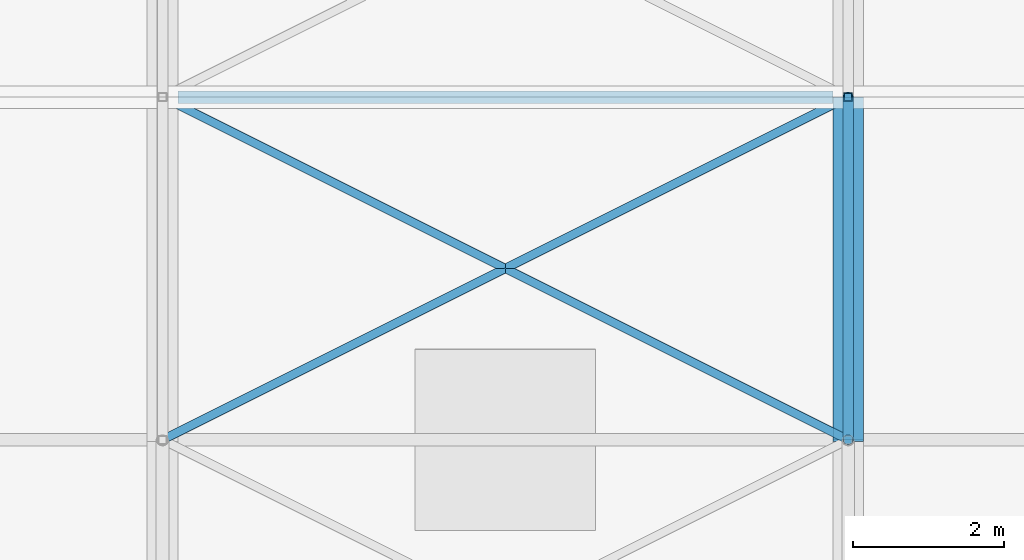
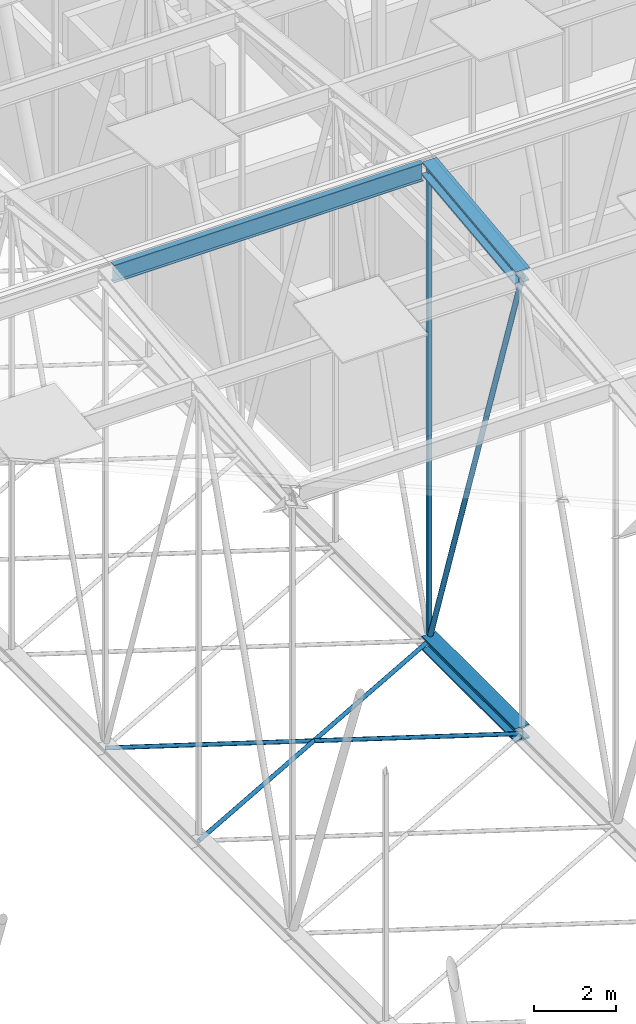
# One storey, part 160 of 500: 7 members.
"""IFC4 building model written with IfcOpenShell, lengths in metres."""

import ifcopenshell
import ifcopenshell.guid

model = None  # the IFC model being written
_history = None  # IfcOwnerHistory: only IFC2X3 demands one
_inside = {}  # id of a spatial element -> (the spatial element, [elements in it])
_under = {}  # id of a project, library or spatial element -> (it, [spatial elements below it])
_declared = {}  # id of a project -> (the project, [libraries it declares])
_typed = {}  # id of a type object -> (the type object, [elements of that type])
_made_of = {}  # id of a material, layer set ... -> (it, [elements and type objects made of it])


def new_model(schema):
    """Start an empty IFC model of exactly this schema.

    Asked for "IFC4X3", IfcOpenShell would pick the latest addendum, in which some entities
    have other attributes; the version numbers below select the first issue.
    IFC2X3 requires an IfcOwnerHistory on every rooted entity: one is made here for all.
    """
    global model, _history
    if schema == "IFC4X3":
        model = ifcopenshell.file(schema_version=(4, 3, 0, 0))
    else:
        model = ifcopenshell.file(schema=schema)
    _inside.clear()
    _under.clear()
    _declared.clear()
    _typed.clear()
    _made_of.clear()
    _history = None
    if model.schema == "IFC2X3":
        org = make("IfcOrganization", Name="unknown")
        user = make(
            "IfcPersonAndOrganization",
            ThePerson=make("IfcPerson", FamilyName="unknown"),
            TheOrganization=org,
        )
        app = make(
            "IfcApplication",
            ApplicationDeveloper=org,
            Version="unknown",
            ApplicationFullName="unknown",
            ApplicationIdentifier="unknown",
        )
        _history = make(
            "IfcOwnerHistory",
            OwningUser=user,
            OwningApplication=app,
            ChangeAction="ADDED",
            CreationDate=0,
        )
    return model


def make(cls, **values):
    """One entity of the class cls with the attributes given. An attribute that is None is left unset."""
    return model.create_entity(
        cls, **{name: value for name, value in values.items() if value is not None}
    )


def rooted(cls, **values):
    """An entity with a GlobalId (a new one), such as an element, a storey or a relation."""
    return make(cls, GlobalId=ifcopenshell.guid.new(), OwnerHistory=_history, **values)


def si_unit(unit_type, name, prefix=None):
    """IfcSIUnit, for example si_unit("LENGTHUNIT", "METRE", prefix="MILLI")."""
    return make("IfcSIUnit", UnitType=unit_type, Prefix=prefix, Name=name)


def assignment(units):
    """IfcUnitAssignment: the units of a project."""
    return None if units is None else make("IfcUnitAssignment", Units=units)


def point(xyz):
    """IfcCartesianPoint."""
    return None if xyz is None else make("IfcCartesianPoint", Coordinates=xyz)


def direction(xyz):
    """IfcDirection."""
    return None if xyz is None else make("IfcDirection", DirectionRatios=xyz)


def frame(location, z_axis=None, x_axis=None):
    """IfcAxis2Placement3D, a coordinate frame: its origin and axes. An axis left out is left unset."""
    return make(
        "IfcAxis2Placement3D",
        Location=point(location),
        Axis=direction(z_axis),
        RefDirection=direction(x_axis),
    )


def frame_2d(location, x_axis=None):
    """IfcAxis2Placement2D, a coordinate frame in the plane: its origin and x axis."""
    return make(
        "IfcAxis2Placement2D", Location=point(location), RefDirection=direction(x_axis)
    )


def origin():
    """The frame at (0, 0, 0) with its axes left unset."""
    return frame((0.0, 0.0, 0.0))


def origin_2d():
    """The frame at (0, 0) in the plane with its x axis left unset."""
    return frame_2d((0.0, 0.0))


def place(relative_to, where):
    """IfcLocalPlacement: puts the frame where relative to a parent placement (None: the world)."""
    return make(
        "IfcLocalPlacement", PlacementRelTo=relative_to, RelativePlacement=where
    )


def context(
    kind, dimensions, precision=None, world=None, true_north=None, identifier=None
):
    """IfcGeometricRepresentationContext, for example the 3D "Model" context."""
    return make(
        "IfcGeometricRepresentationContext",
        ContextIdentifier=identifier,
        ContextType=kind,
        CoordinateSpaceDimension=dimensions,
        Precision=precision,
        WorldCoordinateSystem=world,
        TrueNorth=true_north,
    )


def subcontext(parent, identifier, kind, view, scale=None):
    """IfcGeometricRepresentationSubContext, for example "Body" below "Model"."""
    return make(
        "IfcGeometricRepresentationSubContext",
        ContextIdentifier=identifier,
        ContextType=kind,
        ParentContext=parent,
        TargetScale=scale,
        TargetView=view,
    )


def project(units=None, contexts=None):
    """IfcProject with its units and contexts."""
    return rooted(
        "IfcProject",
        Name="project",
        RepresentationContexts=contexts,
        UnitsInContext=assignment(units),
    )


def spatial(cls, under=None, at=None, **own):
    """A site, building, storey or space (cls), placed at a placement, below another one or the project."""
    s = rooted(cls, ObjectPlacement=at, **own)
    if under is not None:
        _under.setdefault(under.id(), (under, []))[1].append(s)
    return s


def profile(cls, at=None, kind="AREA", **sizes):
    """A parametric profile (cls). Its sizes go by their IFC names, for example OverallWidth=200.0."""
    return make(cls, ProfileType=kind, Position=at, **sizes)


def hollow_rectangle(**sizes):
    """IfcRectangleHollowProfileDef."""
    return profile("IfcRectangleHollowProfileDef", **sizes)


def hollow_circle(**sizes):
    """IfcCircleHollowProfileDef."""
    return profile("IfcCircleHollowProfileDef", **sizes)


def i_section(**sizes):
    """IfcIShapeProfileDef."""
    return profile("IfcIShapeProfileDef", **sizes)


def extrude(swept, where, along, depth):
    """IfcExtrudedAreaSolid: the profile swept, set in the frame where, extruded along a direction by depth."""
    return make(
        "IfcExtrudedAreaSolid",
        SweptArea=swept,
        Position=where,
        ExtrudedDirection=direction(along),
        Depth=depth,
    )


def shape(context_of_items, identifier, shape_type, items):
    """IfcShapeRepresentation: the items that make up one representation, for example the "Body"."""
    return make(
        "IfcShapeRepresentation",
        ContextOfItems=context_of_items,
        RepresentationIdentifier=identifier,
        RepresentationType=shape_type,
        Items=items,
    )


def material(Name=None, Category=None):
    """IfcMaterial."""
    return make("IfcMaterial", Name=Name, Category=Category)


def material_profile(
    of_material, cross_section, Name=None, Category=None, Priority=None
):
    """IfcMaterialProfile: a cross section and its material."""
    return make(
        "IfcMaterialProfile",
        Name=Name,
        Material=of_material,
        Profile=cross_section,
        Priority=Priority,
        Category=Category,
    )


def profile_set(profiles, Name=None, composite=None):
    """IfcMaterialProfileSet."""
    return make(
        "IfcMaterialProfileSet",
        Name=Name,
        MaterialProfiles=profiles,
        CompositeProfile=composite,
    )


def made_of(thing, what):
    """Note that an element or type object is made of a material, layer set ...; save() writes the relation."""
    if what is not None:
        _made_of.setdefault(what.id(), (what, []))[1].append(thing)
    return thing


def type_object(cls, material=None, **own):
    """A type object (cls), such as IfcWallType, which elements share."""
    return made_of(rooted(cls, **own), material)


def element(
    cls,
    number,
    at=None,
    inside=None,
    cuts=None,
    type_object=None,
    material=None,
    context=None,
    identifier="Body",
    shape_type=None,
    held_by="IfcProductDefinitionShape",
    body=None,
    shapes=None,
    **own,
):
    """One element of the class cls, such as IfcWall. Its Tag is "e" and its number.

    at: its placement. inside: the storey or other place that contains it. cuts: it is an
    opening in that element (IfcRelVoidsElement). A single representation is given by context,
    identifier, shape_type and body (its items); several are given by shapes. held_by: the class
    of the entity that holds the representations. save() writes the other relations.
    """
    e = rooted(cls, Tag="e%d" % number, ObjectPlacement=at, **own)
    if body is not None:
        shapes = [shape(context, identifier, shape_type, body)]
    if shapes is not None:
        e.Representation = make(held_by, Representations=shapes)
    if inside is not None:
        _inside.setdefault(inside.id(), (inside, []))[1].append(e)
    if cuts is not None:
        rooted(
            "IfcRelVoidsElement", RelatingBuildingElement=cuts, RelatedOpeningElement=e
        )
    if type_object is not None:
        _typed.setdefault(type_object.id(), (type_object, []))[1].append(e)
    return made_of(e, material)


def aggregate(whole, parts):
    """IfcRelAggregates: a whole, such as a stair, and the parts it consists of."""
    return rooted("IfcRelAggregates", RelatingObject=whole, RelatedObjects=parts)


def save(model, path):
    """Write the relations noted so far, then the file.

    IfcRelAggregates (storeys below a building ...), IfcRelContainedInSpatialStructure (elements
    in a storey), IfcRelDefinesByType, IfcRelAssociatesMaterial and IfcRelDeclares: one each for
    every whole, place, type object, material and project.
    """
    for whole, parts in _under.values():
        aggregate(whole, parts)
    for where, things in _inside.values():
        rooted(
            "IfcRelContainedInSpatialStructure",
            RelatedElements=things,
            RelatingStructure=where,
        )
    for kind, things in _typed.values():
        rooted("IfcRelDefinesByType", RelatedObjects=things, RelatingType=kind)
    for what, things in _made_of.values():
        rooted("IfcRelAssociatesMaterial", RelatedObjects=things, RelatingMaterial=what)
    for by, libraries in _declared.values():
        rooted("IfcRelDeclares", RelatingContext=by, RelatedDefinitions=libraries)
    model.write(path)


model = new_model("IFC4")

# Units and contexts
model_context = context("Model", 3, precision=1e-05, world=origin(), true_north=direction((0.0, 1.0)))
body_context = subcontext(model_context, "Body", "Model", "MODEL_VIEW")
ifc_project = project(units=[si_unit("LENGTHUNIT", "METRE"), si_unit("AREAUNIT", "SQUARE_METRE"), si_unit("VOLUMEUNIT", "CUBIC_METRE"), si_unit("PLANEANGLEUNIT", "RADIAN"), si_unit("MASSUNIT", "GRAM", prefix="KILO")], contexts=[model_context])

# Site, building, storey
site_placement = place(None, origin())
site = spatial("IfcSite", under=ifc_project, at=site_placement, CompositionType="ELEMENT")
building_placement = place(site_placement, origin())
building = spatial("IfcBuilding", under=site, at=building_placement, Name="Shirokan Park Arena", CompositionType="ELEMENT")
storey_placement = place(building_placement, frame((0.0, 0.0, 29.1201171875)))
storey = spatial("IfcBuildingStorey", under=building, at=storey_placement, Name="L06", CompositionType="ELEMENT", Elevation=29.1201171875)

# Members
ifc_material_1 = material(Name="Steel ASTM A992", Category="steel")
ifc_material_profile_1 = material_profile(ifc_material_1, i_section(OverallWidth=0.406005859375, OverallDepth=0.4169921875, WebThickness=0.030029296875, FlangeThickness=0.048095703125, at=origin_2d()), Name="W360X382")
ifc_profile_set_1 = profile_set([ifc_material_profile_1], Name="Steel ASTM A992")
member_type_1 = type_object("IfcMemberType", Name="Bottom chord W360X382", PredefinedType="CHORD", material=ifc_profile_set_1)
member_1_placement = place(storey_placement, frame((100.10009765625, 50.050048828125, 4.677001953125), z_axis=(0.0, 1.0, 0.0), x_axis=(-1.0, 0.0, 0.0)))
element("IfcMember", 1, at=member_1_placement, inside=storey, type_object=member_type_1, Name="Truss T12 bottom chord 14", PredefinedType="CHORD", context=body_context, shape_type="SweptSolid", body=[
    extrude(i_section(OverallWidth=0.406005859375, OverallDepth=0.4169921875, WebThickness=0.030029296875, FlangeThickness=0.048095703125, at=origin_2d()), origin(), (0.0, 0.0, 1.0), 4.550048828125),
])
ifc_material_2 = material(Name="Steel ASTM A500 Grade C", Category="steel")
ifc_material_profile_2 = material_profile(ifc_material_2, hollow_circle(Radius=0.056884765625, WallThickness=0.006103515625, at=origin_2d()), Name="HSS114.3X6")
ifc_profile_set_2 = profile_set([ifc_material_profile_2], Name="Steel ASTM A500 Grade C")
member_type_2 = type_object("IfcMemberType", Name="Plan bracing HSS114.3X6", PredefinedType="BRACE", material=ifc_profile_set_2)
for number, where, z_axis, x_axis, name in (
    (2, (91.0, 50.050048828125, 4.677001953125), (0.894427191, 0.4472135955, 0.0), (-0.4472135955, 0.894427191, 0.0), "Plan bracing bay 11 panel 14 A"),
    (3, (100.10009765625, 50.050048828125, 4.677001953125), (-0.894427191, 0.4472135955, 0.0), (-0.4472135955, -0.894427191, 0.0), "Plan bracing bay 11 panel 14 B"),
):
    element("IfcMember", number, at=place(storey_placement, frame(where, z_axis=z_axis, x_axis=x_axis)), inside=storey, type_object=member_type_2, Name=name, PredefinedType="BRACE", context=body_context, shape_type="SweptSolid", body=[
        extrude(hollow_circle(Radius=0.056884765625, WallThickness=0.006103515625, at=origin_2d()), origin(), (0.0, 0.0, 1.0), 10.17431640625),
    ])
ifc_material_profile_3 = material_profile(ifc_material_1, i_section(OverallWidth=0.166015625, OverallDepth=0.528076171875, WebThickness=0.009765625, FlangeThickness=0.013671875, at=origin_2d()), Name="W530X74")
ifc_profile_set_3 = profile_set([ifc_material_profile_3], Name="Steel ASTM A992")
member_type_3 = type_object("IfcMemberType", Name="Purlin W530X74", PredefinedType="PURLIN", material=ifc_profile_set_3)
member_2_placement = place(storey_placement, frame((91.202880859375, 54.60009765625, 18.725830078125), z_axis=(1.0, 0.0, 0.0), x_axis=(0.0, 1.0, 0.0)))
element("IfcMember", 4, at=member_2_placement, inside=storey, type_object=member_type_3, Name="Purlin 15 bay 11", PredefinedType="PURLIN", context=body_context, shape_type="SweptSolid", body=[
    extrude(i_section(OverallWidth=0.166015625, OverallDepth=0.528076171875, WebThickness=0.009765625, FlangeThickness=0.013671875, at=origin_2d()), origin(), (0.0, 0.0, 1.0), 8.694091796875),
])
ifc_material_profile_4 = material_profile(ifc_material_1, i_section(OverallWidth=0.406005859375, OverallDepth=0.4169921875, WebThickness=0.030029296875, FlangeThickness=0.048095703125, at=origin_2d()), Name="W360X382")
ifc_profile_set_4 = profile_set([ifc_material_profile_4], Name="Steel ASTM A992")
member_type_4 = type_object("IfcMemberType", Name="Top chord W360X382", PredefinedType="CHORD", material=ifc_profile_set_4)
member_3_placement = place(storey_placement, frame((100.10009765625, 50.050048828125, 18.261474609375), z_axis=(0.0, 0.993532328996, 0.113549598152), x_axis=(-1.0, 0.0, 0.0)))
element("IfcMember", 5, at=member_3_placement, inside=storey, type_object=member_type_4, Name="Truss T12 top chord 14", PredefinedType="CHORD", context=body_context, shape_type="SweptSolid", body=[
    extrude(i_section(OverallWidth=0.406005859375, OverallDepth=0.4169921875, WebThickness=0.030029296875, FlangeThickness=0.048095703125, at=origin_2d()), origin(), (0.0, 0.0, 1.0), 4.57958984375),
])
ifc_material_profile_5 = material_profile(ifc_material_2, hollow_circle(Radius=0.070556640625, WallThickness=0.006591796875, at=origin_2d()), Name="HSS141.3X6.6")
ifc_profile_set_5 = profile_set([ifc_material_profile_5], Name="Steel ASTM A500 Grade C")
member_type_5 = type_object("IfcMemberType", Name="Truss diagonal HSS141.3X6.6", PredefinedType="BRACE", material=ifc_profile_set_5)
member_4_placement = place(storey_placement, frame((100.10009765625, 50.050048828125, 18.261474609375), z_axis=(0.0, 0.317602683872, -0.948223884532), x_axis=(-1.0, 0.0, 0.0)))
element("IfcMember", 6, at=member_4_placement, inside=storey, type_object=member_type_5, Name="Truss T12 diagonal 14", PredefinedType="BRACE", context=body_context, shape_type="SweptSolid", body=[
    extrude(hollow_circle(Radius=0.070556640625, WallThickness=0.006591796875, at=origin_2d()), origin(), (0.0, 0.0, 1.0), 14.326171875),
])
ifc_material_profile_6 = material_profile(ifc_material_2, hollow_rectangle(XDim=0.114013671875, YDim=0.114013671875, WallThickness=0.00634765625, at=origin_2d()), Name="HSS114.3X114.3X6.4")
ifc_profile_set_6 = profile_set([ifc_material_profile_6], Name="Steel ASTM A500 Grade C")
member_type_6 = type_object("IfcMemberType", Name="Truss post HSS114.3X114.3X6.4", PredefinedType="POST", material=ifc_profile_set_6)
member_5_placement = place(storey_placement, frame((100.10009765625, 54.60009765625, 4.677001953125), z_axis=(0.0, 0.0, 1.0), x_axis=(1.0, 0.0, 0.0)))
element("IfcMember", 7, at=member_5_placement, inside=storey, type_object=member_type_6, Name="Truss T12 post 15", PredefinedType="POST", context=body_context, shape_type="SweptSolid", body=[
    extrude(hollow_rectangle(XDim=0.114013671875, YDim=0.114013671875, WallThickness=0.00634765625, at=origin_2d()), origin(), (0.0, 0.0, 1.0), 14.1044921875),
])

save(model, "model.ifc")
